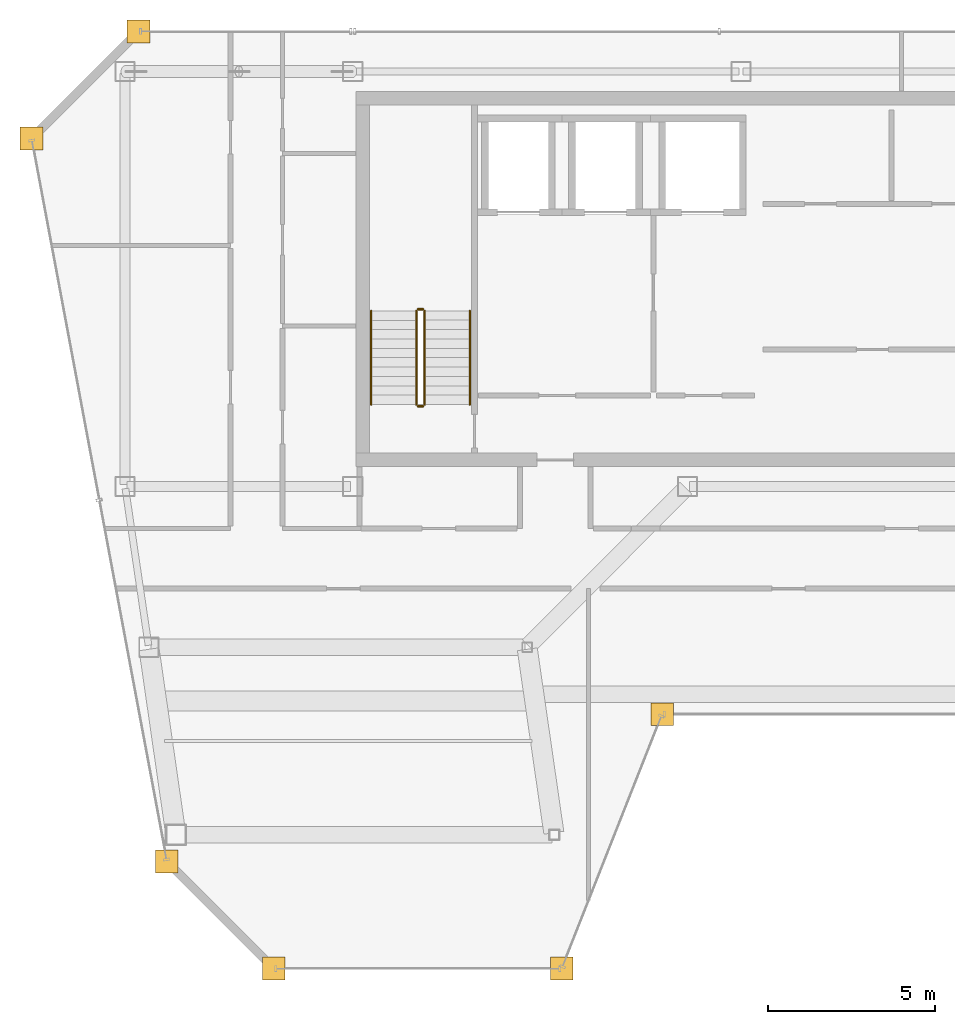
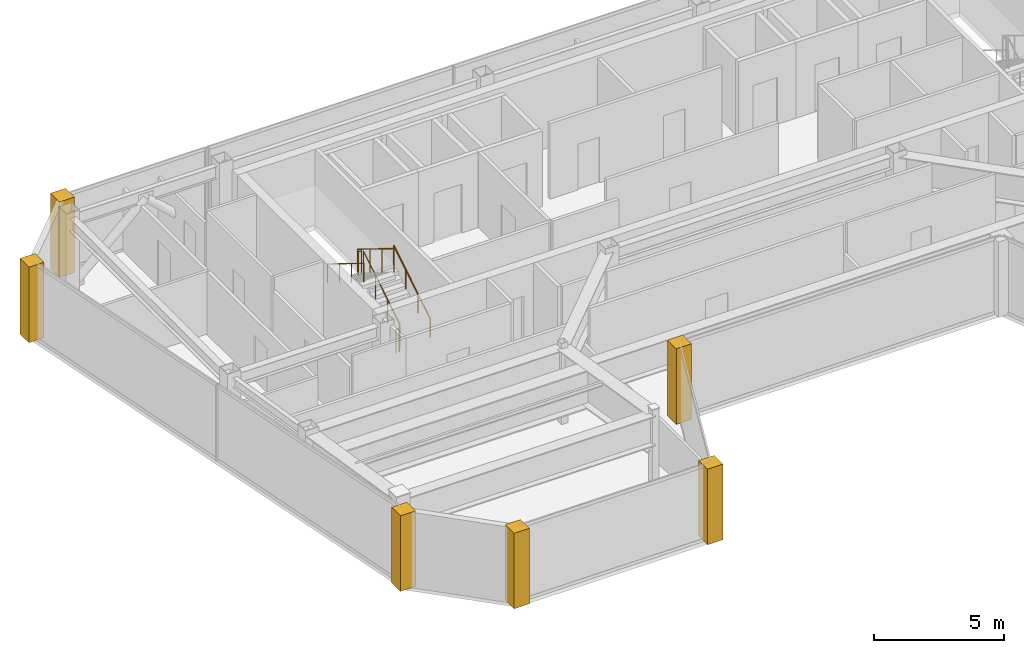
# One storey, part 22 of 23: 6 coverings, 6 railings.
"""IFC4 building model written with IfcOpenShell, lengths in metres."""

from ifc_helpers import new_model, si_unit, direction, frame, origin, origin_2d, place, context, subcontext, project, spatial, polyline, circle, outline, extrude, material, layer, layer_set, type_object, element, save


model = new_model("IFC4")

# Units and contexts
model_context = context("Model", 3, precision=1e-05, world=origin(), true_north=direction((0.0, 1.0)))
body_context = subcontext(model_context, "Body", "Model", "MODEL_VIEW")
ifc_project = project(units=[si_unit("LENGTHUNIT", "METRE"), si_unit("AREAUNIT", "SQUARE_METRE"), si_unit("VOLUMEUNIT", "CUBIC_METRE"), si_unit("PLANEANGLEUNIT", "RADIAN"), si_unit("MASSUNIT", "GRAM", prefix="KILO")], contexts=[model_context])

# Site, building, storey
site_placement = place(None, origin())
site = spatial("IfcSite", under=ifc_project, at=site_placement, CompositionType="ELEMENT")
building_placement = place(site_placement, origin())
building = spatial("IfcBuilding", under=site, at=building_placement, Name="Saevonmaru Cultural Tower", CompositionType="ELEMENT")
storey_placement = place(building_placement, frame((0.0, 0.0, 291.39990234375)))
storey = spatial("IfcBuildingStorey", under=building, at=storey_placement, Name="L69", CompositionType="ELEMENT", Elevation=291.39990234375)

# Coverings
ifc_material_1 = material(Name="Satin Bronze Anodised Aluminium", Category="aluminium")
ifc_layer = layer(ifc_material_1, 0.679931640625, Name="Satin Bronze Anodised Aluminium")
ifc_layer_set = layer_set([ifc_layer], Name="Satin Bronze Anodised Aluminium")
covering_type = type_object("IfcCoveringType", Name="CV-CORNER-CLAD", PredefinedType="CLADDING", material=ifc_layer_set)
covering_1_placement = place(storey_placement, origin())
element("IfcCovering", 1, at=covering_1_placement, inside=storey, type_object=covering_type, Name="L69 Tower Bronze Corner Cladding Pier 1", PredefinedType="CLADDING", context=body_context, shape_type="SweptSolid", body=[
    extrude(outline(polyline([(7.7041015625, 30.860107421875), (8.384033203125, 30.860107421875), (8.384033203125, 31.5400390625), (7.7041015625, 31.5400390625), (7.7041015625, 30.860107421875)])), origin(), (0.0, 0.0, 1.0), 3.550048828125),
])
covering_2_placement = place(storey_placement, origin())
element("IfcCovering", 2, at=covering_2_placement, inside=storey, type_object=covering_type, Name="L69 Tower Bronze Corner Cladding Pier 2", PredefinedType="CLADDING", context=body_context, shape_type="SweptSolid", body=[
    extrude(outline(polyline([(10.904052734375, 27.659912109375), (11.583984375, 27.659912109375), (11.583984375, 28.340087890625), (10.904052734375, 28.340087890625), (10.904052734375, 27.659912109375)])), origin(), (0.0, 0.0, 1.0), 3.550048828125),
])
covering_3_placement = place(storey_placement, origin())
element("IfcCovering", 3, at=covering_3_placement, inside=storey, type_object=covering_type, Name="L69 Tower Bronze Corner Cladding Pier 3", PredefinedType="CLADDING", context=body_context, shape_type="SweptSolid", body=[
    extrude(outline(polyline([(19.50390625, 27.659912109375), (20.18408203125, 27.659912109375), (20.18408203125, 28.340087890625), (19.50390625, 28.340087890625), (19.50390625, 27.659912109375)])), origin(), (0.0, 0.0, 1.0), 3.550048828125),
])
covering_4_placement = place(storey_placement, origin())
element("IfcCovering", 4, at=covering_4_placement, inside=storey, type_object=covering_type, Name="L69 Tower Bronze Corner Cladding Pier 4", PredefinedType="CLADDING", context=body_context, shape_type="SweptSolid", body=[
    extrude(outline(polyline([(22.50390625, 35.260009765625), (23.18408203125, 35.260009765625), (23.18408203125, 35.93994140625), (22.50390625, 35.93994140625), (22.50390625, 35.260009765625)])), origin(), (0.0, 0.0, 1.0), 3.550048828125),
])
covering_5_placement = place(storey_placement, origin())
element("IfcCovering", 5, at=covering_5_placement, inside=storey, type_object=covering_type, Name="L69 Tower Bronze Corner Cladding Pier 11", PredefinedType="CLADDING", context=body_context, shape_type="SweptSolid", body=[
    extrude(outline(polyline([(6.860107421875, 55.659912109375), (7.5400390625, 55.659912109375), (7.5400390625, 56.340087890625), (6.860107421875, 56.340087890625), (6.860107421875, 55.659912109375)])), origin(), (0.0, 0.0, 1.0), 3.550048828125),
])
covering_6_placement = place(storey_placement, origin())
element("IfcCovering", 6, at=covering_6_placement, inside=storey, type_object=covering_type, Name="L69 Tower Bronze Corner Cladding Pier 12", PredefinedType="CLADDING", context=body_context, shape_type="SweptSolid", body=[
    extrude(outline(polyline([(3.659912109375, 52.4599609375), (4.340087890625, 52.4599609375), (4.340087890625, 53.139892578125), (3.659912109375, 53.139892578125), (3.659912109375, 52.4599609375)])), origin(), (0.0, 0.0, 1.0), 3.550048828125),
])

# Railings
ifc_material_2 = material(Name="Architectural Painted Steel", Category="steel")
railing_type_1 = type_object("IfcRailingType", Name="RL-STAIR-GUARD", PredefinedType="GUARDRAIL", material=ifc_material_2)
railing_1_placement = place(storey_placement, frame((15.75, 44.85009765625, 0.1728515625)))
element("IfcRailing", 7, at=railing_1_placement, inside=storey, type_object=railing_type_1, Name="L69 ST-1 stair guard 1", PredefinedType="GUARDRAIL", context=body_context, shape_type="SweptSolid", body=[
    extrude(circle(Radius=0.02392578125, at=origin_2d()), frame((0.0, 0.0, 1.09619140625), z_axis=(0.0, 0.851069175582, 0.525053576669), x_axis=(-1.0, 0.0, 0.0)), (0.0, 0.0, 1.0), 3.289794921875),
    extrude(circle(Radius=0.02099609375, at=origin_2d()), origin(), (0.0, 0.0, 1.0), 1.072021484375),
    extrude(circle(Radius=0.02099609375, at=origin_2d()), frame((0.0, 0.933349609375, 0.57568359375)), (0.0, 0.0, 1.0), 1.072021484375),
    extrude(circle(Radius=0.02099609375, at=origin_2d()), frame((0.0, 1.866455078125, 1.151611328125)), (0.0, 0.0, 1.0), 1.072021484375),
    extrude(circle(Radius=0.02099609375, at=origin_2d()), frame((0.0, 2.7998046875, 1.727294921875)), (0.0, 0.0, 1.0), 1.072021484375),
])
railing_2_placement = place(storey_placement, frame((15.699951171875, 47.699951171875, 1.900146484375)))
element("IfcRailing", 8, at=railing_2_placement, inside=storey, type_object=railing_type_1, Name="L69 ST-1 stair guard 2", PredefinedType="GUARDRAIL", context=body_context, shape_type="SweptSolid", body=[
    extrude(circle(Radius=0.02392578125, at=origin_2d()), frame((0.0, 0.0, 1.09619140625), z_axis=(-1.0, 0.0, 0.0), x_axis=(0.0, -1.0, 0.0)), (0.0, 0.0, 1.0), 0.14990234375),
    extrude(circle(Radius=0.02099609375, at=origin_2d()), origin(), (0.0, 0.0, 1.0), 1.072021484375),
    extrude(circle(Radius=0.02099609375, at=origin_2d()), frame((-0.14990234375, 0.0, 0.0)), (0.0, 0.0, 1.0), 1.072021484375),
])
railing_3_placement = place(storey_placement, frame((15.5, 47.64990234375, 2.07275390625)))
element("IfcRailing", 9, at=railing_3_placement, inside=storey, type_object=railing_type_1, Name="L69 ST-1 stair guard 3", PredefinedType="GUARDRAIL", context=body_context, shape_type="SweptSolid", body=[
    extrude(circle(Radius=0.02392578125, at=origin_2d()), frame((0.0, 0.0, 1.09619140625), z_axis=(0.0, -0.851069175582, 0.525053576669), x_axis=(1.0, 0.0, 0.0)), (0.0, 0.0, 1.0), 3.289794921875),
    extrude(circle(Radius=0.02099609375, at=origin_2d()), origin(), (0.0, 0.0, 1.0), 1.072021484375),
    extrude(circle(Radius=0.02099609375, at=origin_2d()), frame((0.0, -0.933349609375, 0.57568359375)), (0.0, 0.0, 1.0), 1.072021484375),
    extrude(circle(Radius=0.02099609375, at=origin_2d()), frame((0.0, -1.866455078125, 1.151611328125)), (0.0, 0.0, 1.0), 1.072021484375),
    extrude(circle(Radius=0.02099609375, at=origin_2d()), frame((0.0, -2.7998046875, 1.727294921875)), (0.0, 0.0, 1.0), 1.072021484375),
])
railing_4_placement = place(storey_placement, frame((15.699951171875, 44.800048828125, 0.0)))
element("IfcRailing", 10, at=railing_4_placement, inside=storey, type_object=railing_type_1, Name="L69 ST-1 stair guard 4", PredefinedType="GUARDRAIL", context=body_context, shape_type="SweptSolid", body=[
    extrude(circle(Radius=0.02392578125, at=origin_2d()), frame((0.0, 0.0, 1.09619140625), z_axis=(-1.0, 0.0, 0.0), x_axis=(0.0, -1.0, 0.0)), (0.0, 0.0, 1.0), 0.14990234375),
    extrude(circle(Radius=0.02099609375, at=origin_2d()), origin(), (0.0, 0.0, 1.0), 1.072021484375),
    extrude(circle(Radius=0.02099609375, at=origin_2d()), frame((-0.14990234375, 0.0, 0.0)), (0.0, 0.0, 1.0), 1.072021484375),
])
railing_type_2 = type_object("IfcRailingType", Name="RL-STAIR-HANDRAIL", PredefinedType="HANDRAIL", material=ifc_material_1)
railing_5_placement = place(storey_placement, frame((17.10009765625, 44.85009765625, 0.1728515625)))
element("IfcRailing", 11, at=railing_5_placement, inside=storey, type_object=railing_type_2, Name="L69 ST-1 stair handrail 1", PredefinedType="HANDRAIL", context=body_context, shape_type="SweptSolid", body=[
    extrude(circle(Radius=0.02392578125, at=origin_2d()), frame((0.0, 0.0, 0.8759765625), z_axis=(0.0, 0.851069175582, 0.525053576669), x_axis=(-1.0, 0.0, 0.0)), (0.0, 0.0, 1.0), 3.289794921875),
    extrude(circle(Radius=0.02099609375, at=origin_2d()), origin(), (0.0, 0.0, 1.0), 0.851806640625),
    extrude(circle(Radius=0.02099609375, at=origin_2d()), frame((0.0, 0.933349609375, 0.57568359375)), (0.0, 0.0, 1.0), 0.851806640625),
    extrude(circle(Radius=0.02099609375, at=origin_2d()), frame((0.0, 1.866455078125, 1.151611328125)), (0.0, 0.0, 1.0), 0.851806640625),
    extrude(circle(Radius=0.02099609375, at=origin_2d()), frame((0.0, 2.7998046875, 1.727294921875)), (0.0, 0.0, 1.0), 0.851806640625),
])
railing_6_placement = place(storey_placement, frame((14.14990234375, 47.64990234375, 2.07275390625)))
element("IfcRailing", 12, at=railing_6_placement, inside=storey, type_object=railing_type_2, Name="L69 ST-1 stair handrail 2", PredefinedType="HANDRAIL", context=body_context, shape_type="SweptSolid", body=[
    extrude(circle(Radius=0.02392578125, at=origin_2d()), frame((0.0, 0.0, 0.8759765625), z_axis=(0.0, -0.851069175582, 0.525053576669), x_axis=(1.0, 0.0, 0.0)), (0.0, 0.0, 1.0), 3.289794921875),
    extrude(circle(Radius=0.02099609375, at=origin_2d()), origin(), (0.0, 0.0, 1.0), 0.851806640625),
    extrude(circle(Radius=0.02099609375, at=origin_2d()), frame((0.0, -0.933349609375, 0.57568359375)), (0.0, 0.0, 1.0), 0.851806640625),
    extrude(circle(Radius=0.02099609375, at=origin_2d()), frame((0.0, -1.866455078125, 1.151611328125)), (0.0, 0.0, 1.0), 0.851806640625),
    extrude(circle(Radius=0.02099609375, at=origin_2d()), frame((0.0, -2.7998046875, 1.727294921875)), (0.0, 0.0, 1.0), 0.851806640625),
])

save(model, "model.ifc")
